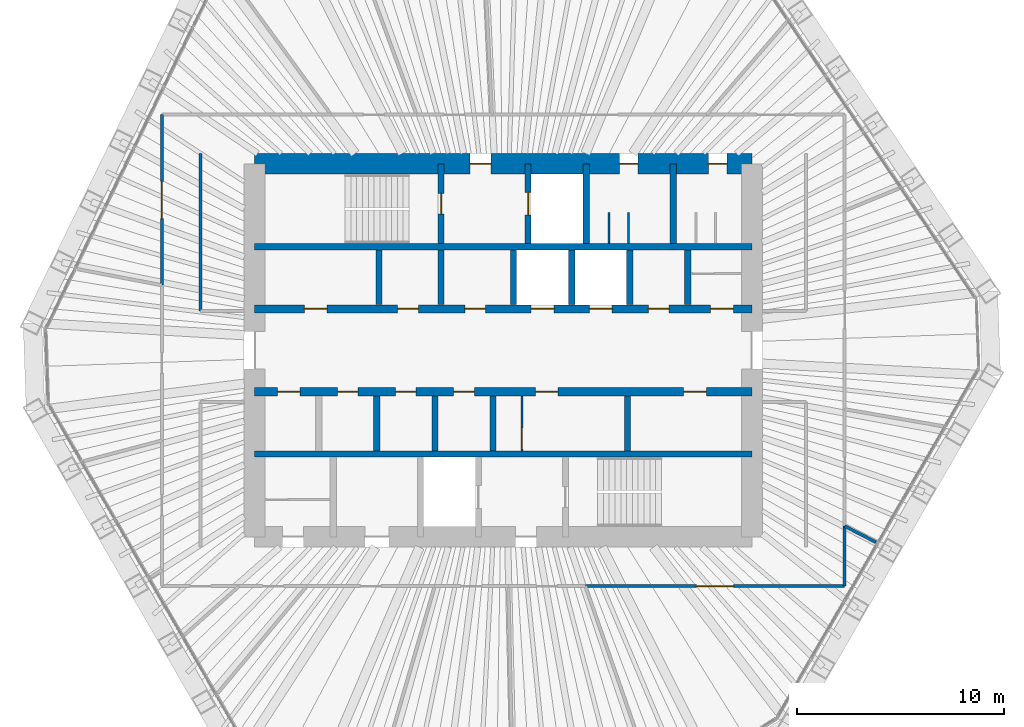
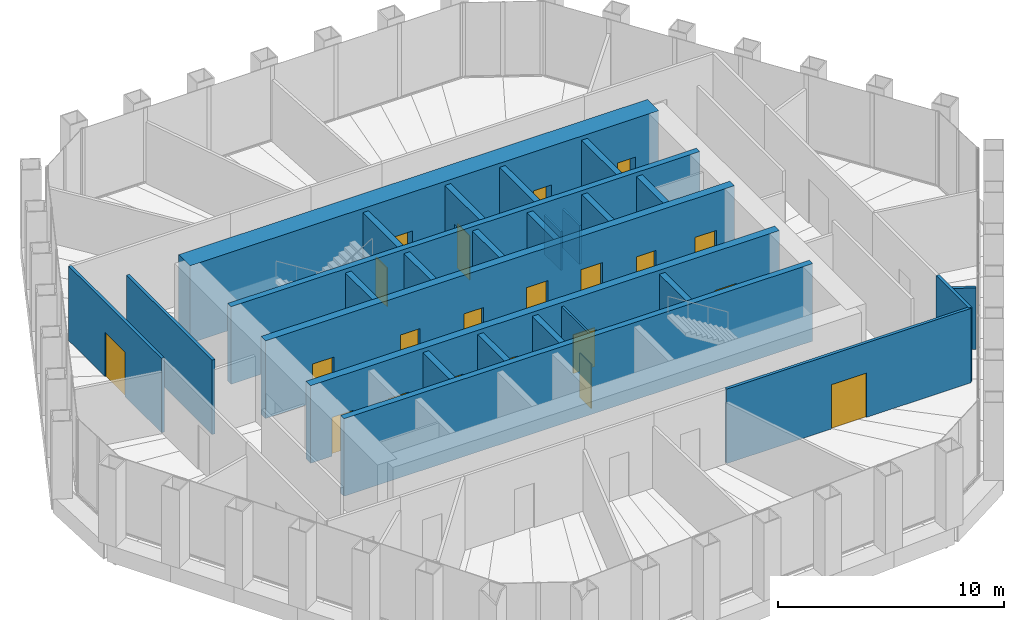
# One storey, part 12 of 14: 27 walls, 21 doors, 21 openings.
"""IFC4 building model written with IfcOpenShell, lengths in metres."""

from ifc_helpers import new_model, si_unit, direction, frame, frame_2d, origin, place, context, subcontext, project, spatial, rectangle, extrude, material, layer, layer_set, type_object, element, fill, save


model = new_model("IFC4")

# Units and contexts
model_context = context("Model", 3, precision=1e-05, world=origin(), true_north=direction((0.0, 1.0)))
body_context = subcontext(model_context, "Body", "Model", "MODEL_VIEW")
ifc_project = project(units=[si_unit("LENGTHUNIT", "METRE"), si_unit("AREAUNIT", "SQUARE_METRE"), si_unit("VOLUMEUNIT", "CUBIC_METRE"), si_unit("PLANEANGLEUNIT", "RADIAN"), si_unit("MASSUNIT", "GRAM", prefix="KILO")], contexts=[model_context])

# Site, building, storey
site_placement = place(None, origin())
site = spatial("IfcSite", under=ifc_project, at=site_placement, CompositionType="ELEMENT")
building_placement = place(site_placement, origin())
building = spatial("IfcBuilding", under=site, at=building_placement, Name="Qingtian Harvest Tower", CompositionType="ELEMENT")
storey_placement = place(building_placement, frame((0.0, 0.0, 274.60009765625)))
storey = spatial("IfcBuildingStorey", under=building, at=storey_placement, Name="L60", CompositionType="ELEMENT", Elevation=274.60009765625)

# Walls
ifc_material_1 = material(Name="Concrete fc' 70 MPa", Category="concrete")
ifc_layer_1 = layer(ifc_material_1, 0.300048828125)
ifc_layer_set_1 = layer_set([ifc_layer_1], Name="Core inner wall RC5 300")
wall_type_1 = type_object("IfcWallType", Name="Core inner wall RC5 300", PredefinedType="SHEAR", material=ifc_layer_set_1)
for number, where, z_axis, x_axis, name in (
    (1, (-12.0, 5.0, 0.0), (0.0, 0.0, 1.0), (1.0, 0.0, 0.0), "Core wall IN5 L60"),
    (2, (-12.0, -5.0, 0.0), (0.0, 0.0, 1.0), (1.0, 0.0, 0.0), "Core wall IS5 L60"),
):
    element("IfcWall", number, at=place(storey_placement, frame(where, z_axis=z_axis, x_axis=x_axis)), inside=storey, type_object=wall_type_1, Name=name, PredefinedType="SHEAR", context=body_context, shape_type="SweptSolid", body=[
        extrude(rectangle(XDim=24.0, YDim=0.300048828125, at=frame_2d((12.0, 0.0))), origin(), (0.0, 0.0, 1.0), 4.199951171875),
    ])

# Wall, openings, doors
ifc_material_2 = material(Name="Concrete fc' 70 MPa", Category="concrete")
ifc_layer_2 = layer(ifc_material_2, 0.39990234375)
ifc_layer_set_2 = layer_set([ifc_layer_2], Name="Core inner web RC6 400")
wall_type_2 = type_object("IfcWallType", Name="Core inner web RC6 400", PredefinedType="SHEAR", material=ifc_layer_set_2)
wall_1_placement = place(storey_placement, frame((-12.0, 2.0, 0.0), z_axis=(0.0, 0.0, 1.0), x_axis=(1.0, 0.0, 0.0)))
wall_1 = element("IfcWall", 3, at=wall_1_placement, inside=storey, type_object=wall_type_2, Name="Core wall IN2 L60", PredefinedType="SHEAR", context=body_context, shape_type="SweptSolid", body=[
    extrude(rectangle(XDim=24.0, YDim=0.39990234375, at=frame_2d((12.0, 0.0))), origin(), (0.0, 0.0, 1.0), 4.199951171875),
])
opening_1_placement = place(wall_1_placement, frame((2.39990234375, 0.0, 0.0)))
opening_1 = element("IfcOpeningElement", 4, at=opening_1_placement, cuts=wall_1, Name="Opening FD4", PredefinedType="OPENING", context=body_context, shape_type="SweptSolid", body=[
    extrude(rectangle(XDim=1.10009765625, YDim=2.10009765625, at=frame_2d((0.550048828125, 1.050048828125))), frame((0.0, 0.2099609375, 0.0), z_axis=(0.0, -1.0, 0.0), x_axis=(1.0, 0.0, 0.0)), (0.0, 0.0, 1.0), 0.419921875),
])
opening_2_placement = place(wall_1_placement, frame((22.0, 0.0, 0.0)))
opening_2 = element("IfcOpeningElement", 5, at=opening_2_placement, cuts=wall_1, Name="Opening FD4", PredefinedType="OPENING", context=body_context, shape_type="SweptSolid", body=[
    extrude(rectangle(XDim=1.10009765625, YDim=2.10009765625, at=frame_2d((0.550048828125, 1.050048828125))), frame((0.0, 0.2099609375, 0.0), z_axis=(0.0, -1.0, 0.0), x_axis=(1.0, 0.0, 0.0)), (0.0, 0.0, 1.0), 0.419921875),
])
opening_3_placement = place(wall_1_placement, frame((10.14990234375, 0.0, 0.0)))
opening_3 = element("IfcOpeningElement", 6, at=opening_3_placement, cuts=wall_1, Name="Opening FD1", PredefinedType="OPENING", context=body_context, shape_type="SweptSolid", body=[
    extrude(rectangle(XDim=1.0, YDim=2.10009765625, at=frame_2d((0.5, 1.050048828125))), frame((0.0, 0.2099609375, 0.0), z_axis=(0.0, -1.0, 0.0), x_axis=(1.0, 0.0, 0.0)), (0.0, 0.0, 1.0), 0.419921875),
])
opening_4_placement = place(wall_1_placement, frame((6.89990234375, 0.0, 0.0)))
opening_4 = element("IfcOpeningElement", 7, at=opening_4_placement, cuts=wall_1, Name="Opening FD1", PredefinedType="OPENING", context=body_context, shape_type="SweptSolid", body=[
    extrude(rectangle(XDim=1.0, YDim=2.10009765625, at=frame_2d((0.5, 1.050048828125))), frame((0.0, 0.2099609375, 0.0), z_axis=(0.0, -1.0, 0.0), x_axis=(1.0, 0.0, 0.0)), (0.0, 0.0, 1.0), 0.419921875),
])
opening_5_placement = place(wall_1_placement, frame((13.35009765625, 0.0, 0.0)))
opening_5 = element("IfcOpeningElement", 8, at=opening_5_placement, cuts=wall_1, Name="Opening LD1", PredefinedType="OPENING", context=body_context, shape_type="SweptSolid", body=[
    extrude(rectangle(XDim=1.10009765625, YDim=2.39990234375, at=frame_2d((0.550048828125, 1.199951171875))), frame((0.0, 0.2099609375, 0.0), z_axis=(0.0, -1.0, 0.0), x_axis=(1.0, 0.0, 0.0)), (0.0, 0.0, 1.0), 0.419921875),
])
opening_6_placement = place(wall_1_placement, frame((16.14990234375, 0.0, 0.0)))
opening_6 = element("IfcOpeningElement", 9, at=opening_6_placement, cuts=wall_1, Name="Opening LD1", PredefinedType="OPENING", context=body_context, shape_type="SweptSolid", body=[
    extrude(rectangle(XDim=1.10009765625, YDim=2.39990234375, at=frame_2d((0.550048828125, 1.199951171875))), frame((0.0, 0.2099609375, 0.0), z_axis=(0.0, -1.0, 0.0), x_axis=(1.0, 0.0, 0.0)), (0.0, 0.0, 1.0), 0.419921875),
])
opening_7_placement = place(wall_1_placement, frame((19.0, 0.0, 0.0)))
opening_7 = element("IfcOpeningElement", 10, at=opening_7_placement, cuts=wall_1, Name="Opening FD1", PredefinedType="OPENING", context=body_context, shape_type="SweptSolid", body=[
    extrude(rectangle(XDim=1.0, YDim=2.10009765625, at=frame_2d((0.5, 1.050048828125))), frame((0.0, 0.2099609375, 0.0), z_axis=(0.0, -1.0, 0.0), x_axis=(1.0, 0.0, 0.0)), (0.0, 0.0, 1.0), 0.419921875),
])
ifc_material_3 = material(Name="Steel-faced door leaf", Category="steel")
door_type_1 = type_object("IfcDoorType", Name="Fire door FD1 single 1 HR", OperationType="SINGLE_SWING_LEFT", PredefinedType="DOOR", material=ifc_material_3)
door_1_placement = place(opening_3_placement, origin())
door_1 = element("IfcDoor", 11, at=door_1_placement, inside=storey, type_object=door_type_1, Name="STA door L60", OperationType="SINGLE_SWING_RIGHT", OverallHeight=2.10009765625, OverallWidth=1.0, PredefinedType="DOOR", context=body_context, shape_type="SweptSolid", body=[
    extrude(rectangle(XDim=1.0, YDim=2.10009765625, at=frame_2d((0.5, 1.050048828125))), frame((0.0, 0.02490234375, 0.0), z_axis=(0.0, -1.0, 0.0), x_axis=(1.0, 0.0, 0.0)), (0.0, 0.0, 1.0), 0.050048828125),
])
fill(opening_3, door_1)
door_2_placement = place(opening_4_placement, origin())
door_2 = element("IfcDoor", 12, at=door_2_placement, inside=storey, type_object=door_type_1, Name="Linen store door L60", OperationType="SINGLE_SWING_RIGHT", OverallHeight=2.10009765625, OverallWidth=1.0, PredefinedType="DOOR", context=body_context, shape_type="SweptSolid", body=[
    extrude(rectangle(XDim=1.0, YDim=2.10009765625, at=frame_2d((0.5, 1.050048828125))), frame((0.0, 0.02490234375, 0.0), z_axis=(0.0, -1.0, 0.0), x_axis=(1.0, 0.0, 0.0)), (0.0, 0.0, 1.0), 0.050048828125),
])
fill(opening_4, door_2)
door_3_placement = place(opening_7_placement, origin())
door_3 = element("IfcDoor", 13, at=door_3_placement, inside=storey, type_object=door_type_1, Name="Tool store door L60", OperationType="SINGLE_SWING_RIGHT", OverallHeight=2.10009765625, OverallWidth=1.0, PredefinedType="DOOR", context=body_context, shape_type="SweptSolid", body=[
    extrude(rectangle(XDim=1.0, YDim=2.10009765625, at=frame_2d((0.5, 1.050048828125))), frame((0.0, 0.02490234375, 0.0), z_axis=(0.0, -1.0, 0.0), x_axis=(1.0, 0.0, 0.0)), (0.0, 0.0, 1.0), 0.050048828125),
])
fill(opening_7, door_3)
ifc_material_4 = material(Name="Steel-faced door leaf", Category="steel")
door_type_2 = type_object("IfcDoorType", Name="Fire door FD4 single 2 HR", OperationType="SINGLE_SWING_LEFT", PredefinedType="DOOR", material=ifc_material_4)
door_4_placement = place(opening_1_placement, origin())
door_4 = element("IfcDoor", 14, at=door_4_placement, inside=storey, type_object=door_type_2, Name="RA door L60", OperationType="SINGLE_SWING_LEFT", OverallHeight=2.10009765625, OverallWidth=1.10009765625, PredefinedType="DOOR", context=body_context, shape_type="SweptSolid", body=[
    extrude(rectangle(XDim=1.10009765625, YDim=2.10009765625, at=frame_2d((0.550048828125, 1.050048828125))), frame((0.0, 0.02490234375, 0.0), z_axis=(0.0, -1.0, 0.0), x_axis=(1.0, 0.0, 0.0)), (0.0, 0.0, 1.0), 0.050048828125),
])
fill(opening_1, door_4)
door_5_placement = place(opening_2_placement, origin())
door_5 = element("IfcDoor", 15, at=door_5_placement, inside=storey, type_object=door_type_2, Name="AHU door L60", OperationType="SINGLE_SWING_LEFT", OverallHeight=2.10009765625, OverallWidth=1.10009765625, PredefinedType="DOOR", context=body_context, shape_type="SweptSolid", body=[
    extrude(rectangle(XDim=1.10009765625, YDim=2.10009765625, at=frame_2d((0.550048828125, 1.050048828125))), frame((0.0, 0.02490234375, 0.0), z_axis=(0.0, -1.0, 0.0), x_axis=(1.0, 0.0, 0.0)), (0.0, 0.0, 1.0), 0.050048828125),
])
fill(opening_2, door_5)
ifc_material_5 = material(Name="Stainless steel lift landing door", Category="steel")
door_type_3 = type_object("IfcDoorType", Name="Lift landing door LD1 1 HR", OperationType="DOUBLE_DOOR_SLIDING", PredefinedType="DOOR", material=ifc_material_5)
door_6_placement = place(opening_5_placement, origin())
door_6 = element("IfcDoor", 16, at=door_6_placement, inside=storey, type_object=door_type_3, Name="PLD1 landing door L60", OperationType="DOUBLE_DOOR_SLIDING", OverallHeight=2.39990234375, OverallWidth=1.10009765625, PredefinedType="DOOR", context=body_context, shape_type="SweptSolid", body=[
    extrude(rectangle(XDim=1.10009765625, YDim=2.39990234375, at=frame_2d((0.550048828125, 1.199951171875))), frame((0.0, 0.02490234375, 0.0), z_axis=(0.0, -1.0, 0.0), x_axis=(1.0, 0.0, 0.0)), (0.0, 0.0, 1.0), 0.050048828125),
])
fill(opening_5, door_6)
door_7_placement = place(opening_6_placement, origin())
door_7 = element("IfcDoor", 17, at=door_7_placement, inside=storey, type_object=door_type_3, Name="PLD2 landing door L60", OperationType="DOUBLE_DOOR_SLIDING", OverallHeight=2.39990234375, OverallWidth=1.10009765625, PredefinedType="DOOR", context=body_context, shape_type="SweptSolid", body=[
    extrude(rectangle(XDim=1.10009765625, YDim=2.39990234375, at=frame_2d((0.550048828125, 1.199951171875))), frame((0.0, 0.02490234375, 0.0), z_axis=(0.0, -1.0, 0.0), x_axis=(1.0, 0.0, 0.0)), (0.0, 0.0, 1.0), 0.050048828125),
])
fill(opening_6, door_7)

wall_2_placement = place(storey_placement, frame((-12.0, -2.0, 0.0), z_axis=(0.0, 0.0, 1.0), x_axis=(1.0, 0.0, 0.0)))
wall_2 = element("IfcWall", 18, at=wall_2_placement, inside=storey, type_object=wall_type_2, Name="Core wall IS2 L60", PredefinedType="SHEAR", context=body_context, shape_type="SweptSolid", body=[
    extrude(rectangle(XDim=24.0, YDim=0.39990234375, at=frame_2d((12.0, 0.0))), origin(), (0.0, 0.0, 1.0), 4.199951171875),
])
opening_8_placement = place(wall_2_placement, frame((1.10009765625, 0.0, 0.0)))
opening_8 = element("IfcOpeningElement", 19, at=opening_8_placement, cuts=wall_2, Name="Opening FD4", PredefinedType="OPENING", context=body_context, shape_type="SweptSolid", body=[
    extrude(rectangle(XDim=1.10009765625, YDim=2.10009765625, at=frame_2d((0.550048828125, 1.050048828125))), frame((0.0, 0.2099609375, 0.0), z_axis=(0.0, -1.0, 0.0), x_axis=(1.0, 0.0, 0.0)), (0.0, 0.0, 1.0), 0.419921875),
])
opening_9_placement = place(wall_2_placement, frame((13.550048828125, 0.0, 0.0)))
opening_9 = element("IfcOpeningElement", 20, at=opening_9_placement, cuts=wall_2, Name="Opening FD4", PredefinedType="OPENING", context=body_context, shape_type="SweptSolid", body=[
    extrude(rectangle(XDim=1.10009765625, YDim=2.10009765625, at=frame_2d((0.550048828125, 1.050048828125))), frame((0.0, 0.2099609375, 0.0), z_axis=(0.0, -1.0, 0.0), x_axis=(1.0, 0.0, 0.0)), (0.0, 0.0, 1.0), 0.419921875),
])
opening_10_placement = place(wall_2_placement, frame((20.699951171875, 0.0, 0.0)))
opening_10 = element("IfcOpeningElement", 21, at=opening_10_placement, cuts=wall_2, Name="Opening FD4", PredefinedType="OPENING", context=body_context, shape_type="SweptSolid", body=[
    extrude(rectangle(XDim=1.10009765625, YDim=2.10009765625, at=frame_2d((0.550048828125, 1.050048828125))), frame((0.0, 0.2099609375, 0.0), z_axis=(0.0, -1.0, 0.0), x_axis=(1.0, 0.0, 0.0)), (0.0, 0.0, 1.0), 0.419921875),
])
opening_11_placement = place(wall_2_placement, frame((4.0, 0.0, 0.0)))
opening_11 = element("IfcOpeningElement", 22, at=opening_11_placement, cuts=wall_2, Name="Opening FD1", PredefinedType="OPENING", context=body_context, shape_type="SweptSolid", body=[
    extrude(rectangle(XDim=1.0, YDim=2.10009765625, at=frame_2d((0.5, 1.050048828125))), frame((0.0, 0.2099609375, 0.0), z_axis=(0.0, -1.0, 0.0), x_axis=(1.0, 0.0, 0.0)), (0.0, 0.0, 1.0), 0.419921875),
])
opening_12_placement = place(wall_2_placement, frame((6.800048828125, 0.0, 0.0)))
opening_12 = element("IfcOpeningElement", 23, at=opening_12_placement, cuts=wall_2, Name="Opening FD1", PredefinedType="OPENING", context=body_context, shape_type="SweptSolid", body=[
    extrude(rectangle(XDim=1.0, YDim=2.10009765625, at=frame_2d((0.5, 1.050048828125))), frame((0.0, 0.2099609375, 0.0), z_axis=(0.0, -1.0, 0.0), x_axis=(1.0, 0.0, 0.0)), (0.0, 0.0, 1.0), 0.419921875),
])
opening_13_placement = place(wall_2_placement, frame((9.60009765625, 0.0, 0.0)))
opening_13 = element("IfcOpeningElement", 24, at=opening_13_placement, cuts=wall_2, Name="Opening FD1", PredefinedType="OPENING", context=body_context, shape_type="SweptSolid", body=[
    extrude(rectangle(XDim=1.0, YDim=2.10009765625, at=frame_2d((0.5, 1.050048828125))), frame((0.0, 0.2099609375, 0.0), z_axis=(0.0, -1.0, 0.0), x_axis=(1.0, 0.0, 0.0)), (0.0, 0.0, 1.0), 0.419921875),
])
door_8_placement = place(opening_11_placement, origin())
door_8 = element("IfcDoor", 25, at=door_8_placement, inside=storey, type_object=door_type_1, Name="Staff WC door L60", OperationType="SINGLE_SWING_RIGHT", OverallHeight=2.10009765625, OverallWidth=1.0, PredefinedType="DOOR", context=body_context, shape_type="SweptSolid", body=[
    extrude(rectangle(XDim=1.0, YDim=2.10009765625, at=frame_2d((0.5, 1.050048828125))), frame((0.0, 0.02490234375, 0.0), z_axis=(0.0, -1.0, 0.0), x_axis=(1.0, 0.0, 0.0)), (0.0, 0.0, 1.0), 0.050048828125),
])
fill(opening_11, door_8)
door_9_placement = place(opening_12_placement, origin())
door_9 = element("IfcDoor", 26, at=door_9_placement, inside=storey, type_object=door_type_1, Name="Tea point door L60", OperationType="SINGLE_SWING_RIGHT", OverallHeight=2.10009765625, OverallWidth=1.0, PredefinedType="DOOR", context=body_context, shape_type="SweptSolid", body=[
    extrude(rectangle(XDim=1.0, YDim=2.10009765625, at=frame_2d((0.5, 1.050048828125))), frame((0.0, 0.02490234375, 0.0), z_axis=(0.0, -1.0, 0.0), x_axis=(1.0, 0.0, 0.0)), (0.0, 0.0, 1.0), 0.050048828125),
])
fill(opening_12, door_9)
door_10_placement = place(opening_13_placement, origin())
door_10 = element("IfcDoor", 27, at=door_10_placement, inside=storey, type_object=door_type_1, Name="IT room door L60", OperationType="SINGLE_SWING_RIGHT", OverallHeight=2.10009765625, OverallWidth=1.0, PredefinedType="DOOR", context=body_context, shape_type="SweptSolid", body=[
    extrude(rectangle(XDim=1.0, YDim=2.10009765625, at=frame_2d((0.5, 1.050048828125))), frame((0.0, 0.02490234375, 0.0), z_axis=(0.0, -1.0, 0.0), x_axis=(1.0, 0.0, 0.0)), (0.0, 0.0, 1.0), 0.050048828125),
])
fill(opening_13, door_10)
door_11_placement = place(opening_8_placement, origin())
door_11 = element("IfcDoor", 28, at=door_11_placement, inside=storey, type_object=door_type_2, Name="RB door L60", OperationType="SINGLE_SWING_LEFT", OverallHeight=2.10009765625, OverallWidth=1.10009765625, PredefinedType="DOOR", context=body_context, shape_type="SweptSolid", body=[
    extrude(rectangle(XDim=1.10009765625, YDim=2.10009765625, at=frame_2d((0.550048828125, 1.050048828125))), frame((0.0, 0.02490234375, 0.0), z_axis=(0.0, -1.0, 0.0), x_axis=(1.0, 0.0, 0.0)), (0.0, 0.0, 1.0), 0.050048828125),
])
fill(opening_8, door_11)
door_12_placement = place(opening_9_placement, origin())
door_12 = element("IfcDoor", 29, at=door_12_placement, inside=storey, type_object=door_type_2, Name="ELEC door L60", OperationType="SINGLE_SWING_RIGHT", OverallHeight=2.10009765625, OverallWidth=1.10009765625, PredefinedType="DOOR", context=body_context, shape_type="SweptSolid", body=[
    extrude(rectangle(XDim=1.10009765625, YDim=2.10009765625, at=frame_2d((0.550048828125, 1.050048828125))), frame((0.0, 0.02490234375, 0.0), z_axis=(0.0, -1.0, 0.0), x_axis=(1.0, 0.0, 0.0)), (0.0, 0.0, 1.0), 0.050048828125),
])
fill(opening_9, door_12)
door_13_placement = place(opening_10_placement, origin())
door_13 = element("IfcDoor", 30, at=door_13_placement, inside=storey, type_object=door_type_2, Name="DUCT door L60", OperationType="SINGLE_SWING_LEFT", OverallHeight=2.10009765625, OverallWidth=1.10009765625, PredefinedType="DOOR", context=body_context, shape_type="SweptSolid", body=[
    extrude(rectangle(XDim=1.10009765625, YDim=2.10009765625, at=frame_2d((0.550048828125, 1.050048828125))), frame((0.0, 0.02490234375, 0.0), z_axis=(0.0, -1.0, 0.0), x_axis=(1.0, 0.0, 0.0)), (0.0, 0.0, 1.0), 0.050048828125),
])
fill(opening_10, door_13)

# Wall, opening, door
ifc_material_6 = material(Name="Precast concrete shaft panel", Category="concrete")
ifc_layer_3 = layer(ifc_material_6, 0.300048828125)
ifc_layer_set_3 = layer_set([ifc_layer_3], Name="Core shaft partition SW1 300")
wall_type_3 = type_object("IfcWallType", Name="Core shaft partition SW1 300", PredefinedType="PARTITIONING", material=ifc_layer_set_3)
wall_3_placement = place(storey_placement, frame((-3.0, 5.14990234375, 0.0), z_axis=(0.0, 0.0, 1.0), x_axis=(0.0, 1.0, 0.0)))
wall_3 = element("IfcWall", 31, at=wall_3_placement, inside=storey, type_object=wall_type_3, Name="Core shaft partition XN1 L60", PredefinedType="PARTITIONING", context=body_context, shape_type="SweptSolid", body=[
    extrude(rectangle(XDim=3.85009765625, YDim=0.300048828125, at=frame_2d((1.925048828125, 0.0))), origin(), (0.0, 0.0, 1.0), 3.97998046875),
])
opening_14_placement = place(wall_3_placement, frame((1.425048828125, 0.0, 0.0)))
opening_14 = element("IfcOpeningElement", 32, at=opening_14_placement, cuts=wall_3, Name="Opening FD1", PredefinedType="OPENING", context=body_context, shape_type="SweptSolid", body=[
    extrude(rectangle(XDim=1.0, YDim=2.10009765625, at=frame_2d((0.5, 1.050048828125))), frame((0.0, 0.159912109375, 0.0), z_axis=(0.0, -1.0, 0.0), x_axis=(1.0, 0.0, 0.0)), (0.0, 0.0, 1.0), 0.320068359375),
])
door_14_placement = place(opening_14_placement, origin())
door_14 = element("IfcDoor", 33, at=door_14_placement, inside=storey, type_object=door_type_1, Name="S1 door L60", OperationType="SINGLE_SWING_LEFT", OverallHeight=2.10009765625, OverallWidth=1.0, PredefinedType="DOOR", context=body_context, shape_type="SweptSolid", body=[
    extrude(rectangle(XDim=1.0, YDim=2.10009765625, at=frame_2d((0.5, 1.050048828125))), frame((0.0, 0.02490234375, 0.0), z_axis=(0.0, -1.0, 0.0), x_axis=(1.0, 0.0, 0.0)), (0.0, 0.0, 1.0), 0.050048828125),
])
fill(opening_14, door_14)

wall_4_placement = place(storey_placement, frame((1.199951171875, 5.14990234375, 0.0), z_axis=(0.0, 0.0, 1.0), x_axis=(0.0, 1.0, 0.0)))
wall_4 = element("IfcWall", 34, at=wall_4_placement, inside=storey, type_object=wall_type_3, Name="Core shaft partition XN2 L60", PredefinedType="PARTITIONING", context=body_context, shape_type="SweptSolid", body=[
    extrude(rectangle(XDim=3.85009765625, YDim=0.300048828125, at=frame_2d((1.925048828125, 0.0))), origin(), (0.0, 0.0, 1.0), 3.97998046875),
])
opening_15_placement = place(wall_4_placement, frame((1.375, 0.0, 0.0)))
opening_15 = element("IfcOpeningElement", 35, at=opening_15_placement, cuts=wall_4, Name="Opening LD1", PredefinedType="OPENING", context=body_context, shape_type="SweptSolid", body=[
    extrude(rectangle(XDim=1.10009765625, YDim=2.39990234375, at=frame_2d((0.550048828125, 1.199951171875))), frame((0.0, 0.159912109375, 0.0), z_axis=(0.0, -1.0, 0.0), x_axis=(1.0, 0.0, 0.0)), (0.0, 0.0, 1.0), 0.320068359375),
])
door_15_placement = place(opening_15_placement, origin())
door_15 = element("IfcDoor", 36, at=door_15_placement, inside=storey, type_object=door_type_3, Name="FL1 landing door L60", OperationType="DOUBLE_DOOR_SLIDING", OverallHeight=2.39990234375, OverallWidth=1.10009765625, PredefinedType="DOOR", context=body_context, shape_type="SweptSolid", body=[
    extrude(rectangle(XDim=1.10009765625, YDim=2.39990234375, at=frame_2d((0.550048828125, 1.199951171875))), frame((0.0, 0.02490234375, 0.0), z_axis=(0.0, -1.0, 0.0), x_axis=(1.0, 0.0, 0.0)), (0.0, 0.0, 1.0), 0.050048828125),
])
fill(opening_15, door_15)

# Walls
for number, where, z_axis, x_axis, name in (
    (37, (4.0, 5.14990234375, 0.0), (0.0, 0.0, 1.0), (0.0, 1.0, 0.0), "Core shaft partition XN3 L60"),
    (38, (8.199951171875, 5.14990234375, 0.0), (0.0, 0.0, 1.0), (0.0, 1.0, 0.0), "Core shaft partition XN4 L60"),
):
    element("IfcWall", number, at=place(storey_placement, frame(where, z_axis=z_axis, x_axis=x_axis)), inside=storey, type_object=wall_type_3, Name=name, PredefinedType="PARTITIONING", context=body_context, shape_type="SweptSolid", body=[
        extrude(rectangle(XDim=3.85009765625, YDim=0.300048828125, at=frame_2d((1.925048828125, 0.0))), origin(), (0.0, 0.0, 1.0), 3.97998046875),
    ])
for number, where, z_axis, x_axis, name in (
    (39, (-6.0, 2.199951171875, 0.0), (0.0, 0.0, 1.0), (0.0, 1.0, 0.0), "Core shaft partition XA1 L60"),
    (40, (-3.0, 2.199951171875, 0.0), (0.0, 0.0, 1.0), (0.0, 1.0, 0.0), "Core shaft partition XA2 L60"),
    (41, (0.5, 2.199951171875, 0.0), (0.0, 0.0, 1.0), (0.0, 1.0, 0.0), "Core shaft partition XA3 L60"),
    (42, (3.300048828125, 2.199951171875, 0.0), (0.0, 0.0, 1.0), (0.0, 1.0, 0.0), "Core shaft partition XA4 L60"),
    (43, (6.10009765625, 2.199951171875, 0.0), (0.0, 0.0, 1.0), (0.0, 1.0, 0.0), "Core shaft partition XA5 L60"),
    (44, (8.89990234375, 2.199951171875, 0.0), (0.0, 0.0, 1.0), (0.0, 1.0, 0.0), "Core shaft partition XA6 L60"),
    (45, (-6.10009765625, -4.85009765625, 0.0), (0.0, 0.0, 1.0), (0.0, 1.0, 0.0), "Core shaft partition XB2 L60"),
    (46, (-3.300048828125, -4.85009765625, 0.0), (0.0, 0.0, 1.0), (0.0, 1.0, 0.0), "Core shaft partition XB3 L60"),
    (47, (-0.5, -4.85009765625, 0.0), (0.0, 0.0, 1.0), (0.0, 1.0, 0.0), "Core shaft partition XB4 L60"),
    (48, (6.0, -4.85009765625, 0.0), (0.0, 0.0, 1.0), (0.0, 1.0, 0.0), "Core shaft partition XB5 L60"),
):
    element("IfcWall", number, at=place(storey_placement, frame(where, z_axis=z_axis, x_axis=x_axis)), inside=storey, type_object=wall_type_3, Name=name, PredefinedType="PARTITIONING", context=body_context, shape_type="SweptSolid", body=[
        extrude(rectangle(XDim=2.650146484375, YDim=0.300048828125, at=frame_2d((1.3251953125, 0.0))), origin(), (0.0, 0.0, 1.0), 3.97998046875),
    ])

# Wall, openings, doors
ifc_material_7 = material(Name="Concrete fc' 70 MPa", Category="concrete")
ifc_layer_4 = layer(ifc_material_7, 1.0)
ifc_layer_set_4 = layer_set([ifc_layer_4], Name="Core wall RC3 1000")
wall_type_4 = type_object("IfcWallType", Name="Core wall RC3 1000", PredefinedType="SHEAR", material=ifc_layer_set_4)
wall_5_placement = place(storey_placement, frame((-12.0, 9.0, 0.0), z_axis=(0.0, 0.0, 1.0), x_axis=(1.0, 0.0, 0.0)))
wall_5 = element("IfcWall", 49, at=wall_5_placement, inside=storey, type_object=wall_type_4, Name="Core wall CN L60", PredefinedType="SHEAR", context=body_context, shape_type="SweptSolid", body=[
    extrude(rectangle(XDim=24.0, YDim=1.0, at=frame_2d((12.0, 0.0))), origin(), (0.0, 0.0, 1.0), 4.199951171875),
])
opening_16_placement = place(wall_5_placement, frame((10.39990234375, 0.0, 0.0)))
opening_16 = element("IfcOpeningElement", 50, at=opening_16_placement, cuts=wall_5, Name="Opening FD1", PredefinedType="OPENING", context=body_context, shape_type="SweptSolid", body=[
    extrude(rectangle(XDim=1.0, YDim=2.10009765625, at=frame_2d((0.5, 1.050048828125))), frame((0.0, 0.510009765625, 0.0), z_axis=(0.0, -1.0, 0.0), x_axis=(1.0, 0.0, 0.0)), (0.0, 0.0, 1.0), 1.02001953125),
])
opening_17_placement = place(wall_5_placement, frame((17.60009765625, 0.0, 0.0)))
opening_17 = element("IfcOpeningElement", 51, at=opening_17_placement, cuts=wall_5, Name="Opening D1", PredefinedType="OPENING", context=body_context, shape_type="SweptSolid", body=[
    extrude(rectangle(XDim=0.89990234375, YDim=2.10009765625, at=frame_2d((0.449951171875, 1.050048828125))), frame((0.0, 0.510009765625, 0.0), z_axis=(0.0, -1.0, 0.0), x_axis=(1.0, 0.0, 0.0)), (0.0, 0.0, 1.0), 1.02001953125),
])
opening_18_placement = place(wall_5_placement, frame((21.89990234375, 0.0, 0.0)))
opening_18 = element("IfcOpeningElement", 52, at=opening_18_placement, cuts=wall_5, Name="Opening D1", PredefinedType="OPENING", context=body_context, shape_type="SweptSolid", body=[
    extrude(rectangle(XDim=0.89990234375, YDim=2.10009765625, at=frame_2d((0.449951171875, 1.050048828125))), frame((0.0, 0.510009765625, 0.0), z_axis=(0.0, -1.0, 0.0), x_axis=(1.0, 0.0, 0.0)), (0.0, 0.0, 1.0), 1.02001953125),
])
door_16_placement = place(opening_16_placement, origin())
door_16 = element("IfcDoor", 53, at=door_16_placement, inside=storey, type_object=door_type_1, Name="V1 door L60", OperationType="SINGLE_SWING_LEFT", OverallHeight=2.10009765625, OverallWidth=1.0, PredefinedType="DOOR", context=body_context, shape_type="SweptSolid", body=[
    extrude(rectangle(XDim=1.0, YDim=2.10009765625, at=frame_2d((0.5, 1.050048828125))), frame((0.0, 0.02490234375, 0.0), z_axis=(0.0, -1.0, 0.0), x_axis=(1.0, 0.0, 0.0)), (0.0, 0.0, 1.0), 0.050048828125),
])
fill(opening_16, door_16)
ifc_material_8 = material(Name="Laminated timber door leaf", Category="wood")
door_type_4 = type_object("IfcDoorType", Name="Toilet door D1 single", OperationType="SINGLE_SWING_LEFT", PredefinedType="DOOR", material=ifc_material_8)
door_17_placement = place(opening_17_placement, origin())
door_17 = element("IfcDoor", 54, at=door_17_placement, inside=storey, type_object=door_type_4, Name="WCM door L60", OperationType="SINGLE_SWING_RIGHT", OverallHeight=2.10009765625, OverallWidth=0.89990234375, PredefinedType="DOOR", context=body_context, shape_type="SweptSolid", body=[
    extrude(rectangle(XDim=0.89990234375, YDim=2.10009765625, at=frame_2d((0.449951171875, 1.050048828125))), frame((0.0, 0.02490234375, 0.0), z_axis=(0.0, -1.0, 0.0), x_axis=(1.0, 0.0, 0.0)), (0.0, 0.0, 1.0), 0.050048828125),
])
fill(opening_17, door_17)
door_18_placement = place(opening_18_placement, origin())
door_18 = element("IfcDoor", 55, at=door_18_placement, inside=storey, type_object=door_type_4, Name="WCF door L60", OperationType="SINGLE_SWING_RIGHT", OverallHeight=2.10009765625, OverallWidth=0.89990234375, PredefinedType="DOOR", context=body_context, shape_type="SweptSolid", body=[
    extrude(rectangle(XDim=0.89990234375, YDim=2.10009765625, at=frame_2d((0.449951171875, 1.050048828125))), frame((0.0, 0.02490234375, 0.0), z_axis=(0.0, -1.0, 0.0), x_axis=(1.0, 0.0, 0.0)), (0.0, 0.0, 1.0), 0.050048828125),
])
fill(opening_18, door_18)

# Wall, opening, door
ifc_material_9 = material(Name="Gypsum board on steel studs", Category="steel")
ifc_layer_5 = layer(ifc_material_9, 0.14990234375)
ifc_layer_set_5 = layer_set([ifc_layer_5], Name="Partition PT1 150")
wall_type_5 = type_object("IfcWallType", Name="Partition PT1 150", PredefinedType="PARTITIONING", material=ifc_layer_set_5)
wall_6_placement = place(storey_placement, frame((-16.47509765625, 3.140869140625, 0.0), z_axis=(0.0, 0.0, 1.0), x_axis=(0.0, 1.0, 0.0)))
wall_6 = element("IfcWall", 56, at=wall_6_placement, inside=storey, type_object=wall_type_5, Name="Workplace zone wall L60", PredefinedType="PARTITIONING", context=body_context, shape_type="SweptSolid", body=[
    extrude(rectangle(XDim=8.234130859375, YDim=0.14990234375, at=frame_2d((4.1171875, 0.0))), origin(), (0.0, 0.0, 1.0), 4.02978515625),
])
opening_19_placement = place(wall_6_placement, frame((3.217041015625, 0.0, 0.0)))
opening_19 = element("IfcOpeningElement", 57, at=opening_19_placement, cuts=wall_6, Name="Opening D3", PredefinedType="OPENING", context=body_context, shape_type="SweptSolid", body=[
    extrude(rectangle(XDim=1.800048828125, YDim=2.39990234375, at=frame_2d((0.89990234375, 1.199951171875))), frame((0.0, 0.0849609375, 0.0), z_axis=(0.0, -1.0, 0.0), x_axis=(1.0, 0.0, 0.0)), (0.0, 0.0, 1.0), 0.169921875),
])
ifc_material_10 = material(Name="Laminated timber door leaf", Category="wood")
door_type_5 = type_object("IfcDoorType", Name="Room door D3 double", OperationType="DOUBLE_DOOR_DOUBLE_SWING", PredefinedType="DOOR", material=ifc_material_10)
door_19_placement = place(opening_19_placement, origin())
door_19 = element("IfcDoor", 58, at=door_19_placement, inside=storey, type_object=door_type_5, Name="Workplace zone door L60", OperationType="DOUBLE_DOOR_DOUBLE_SWING", OverallHeight=2.39990234375, OverallWidth=1.800048828125, PredefinedType="DOOR", context=body_context, shape_type="SweptSolid", body=[
    extrude(rectangle(XDim=1.800048828125, YDim=2.39990234375, at=frame_2d((0.89990234375, 1.199951171875))), frame((0.0, 0.02490234375, 0.0), z_axis=(0.0, -1.0, 0.0), x_axis=(1.0, 0.0, 0.0)), (0.0, 0.0, 1.0), 0.050048828125),
])
fill(opening_19, door_19)

# Walls
wall_7_placement = place(storey_placement, frame((17.98046875, -9.257080078125, 0.0), z_axis=(0.0, 0.0, 1.0), x_axis=(-0.889058145064, 0.457794292991, 0.0)))
element("IfcWall", 59, at=wall_7_placement, inside=storey, type_object=wall_type_5, Name="Workplace zone wall L60", PredefinedType="PARTITIONING", context=body_context, shape_type="SweptSolid", body=[
    extrude(rectangle(XDim=1.693115234375, YDim=0.14990234375, at=frame_2d((0.8466796875, 0.0))), origin(), (0.0, 0.0, 1.0), 3.329833984375),
])
wall_8_placement = place(storey_placement, frame((16.47509765625, -8.48193359375, 0.0), z_axis=(0.0, 0.0, 1.0), x_axis=(0.0, -1.0, 0.0)))
element("IfcWall", 60, at=wall_8_placement, inside=storey, type_object=wall_type_5, Name="Workplace zone wall L60", PredefinedType="PARTITIONING", context=body_context, shape_type="SweptSolid", body=[
    extrude(rectangle(XDim=2.89306640625, YDim=0.14990234375, at=frame_2d((1.446533203125, 0.0))), origin(), (0.0, 0.0, 1.0), 4.02978515625),
])

# Wall, opening, door
wall_9_placement = place(storey_placement, frame((16.47509765625, -11.375, 0.0), z_axis=(0.0, 0.0, 1.0), x_axis=(-1.0, 0.0, 0.0)))
wall_9 = element("IfcWall", 61, at=wall_9_placement, inside=storey, type_object=wall_type_5, Name="Workplace zone wall L60", PredefinedType="PARTITIONING", context=body_context, shape_type="SweptSolid", body=[
    extrude(rectangle(XDim=12.512451171875, YDim=0.14990234375, at=frame_2d((6.25634765625, 0.0))), origin(), (0.0, 0.0, 1.0), 4.02978515625),
])
opening_20_placement = place(wall_9_placement, frame((5.356201171875, 0.0, 0.0)))
opening_20 = element("IfcOpeningElement", 62, at=opening_20_placement, cuts=wall_9, Name="Opening D3", PredefinedType="OPENING", context=body_context, shape_type="SweptSolid", body=[
    extrude(rectangle(XDim=1.800048828125, YDim=2.39990234375, at=frame_2d((0.89990234375, 1.199951171875))), frame((0.0, 0.0849609375, 0.0), z_axis=(0.0, -1.0, 0.0), x_axis=(1.0, 0.0, 0.0)), (0.0, 0.0, 1.0), 0.169921875),
])
door_20_placement = place(opening_20_placement, origin())
door_20 = element("IfcDoor", 63, at=door_20_placement, inside=storey, type_object=door_type_5, Name="Workplace zone door L60", OperationType="DOUBLE_DOOR_DOUBLE_SWING", OverallHeight=2.39990234375, OverallWidth=1.800048828125, PredefinedType="DOOR", context=body_context, shape_type="SweptSolid", body=[
    extrude(rectangle(XDim=1.800048828125, YDim=2.39990234375, at=frame_2d((0.89990234375, 1.199951171875))), frame((0.0, 0.02490234375, 0.0), z_axis=(0.0, -1.0, 0.0), x_axis=(1.0, 0.0, 0.0)), (0.0, 0.0, 1.0), 0.050048828125),
])
fill(opening_20, door_20)

# Wall
wall_10_placement = place(storey_placement, frame((-14.60009765625, 1.89990234375, 0.0), z_axis=(0.0, 0.0, 1.0), x_axis=(0.0, 1.0, 0.0)))
element("IfcWall", 64, at=wall_10_placement, inside=storey, type_object=wall_type_5, Name="Breakout space wall L60", PredefinedType="PARTITIONING", context=body_context, shape_type="SweptSolid", body=[
    extrude(rectangle(XDim=7.60009765625, YDim=0.14990234375, at=frame_2d((3.800048828125, 0.0))), origin(), (0.0, 0.0, 1.0), 4.02978515625),
])

# Wall, opening, door
ifc_material_11 = material(Name="Concrete block partition", Category="concrete")
ifc_layer_6 = layer(ifc_material_11, 0.10009765625)
ifc_layer_set_6 = layer_set([ifc_layer_6], Name="Store partition PT3 100")
wall_type_6 = type_object("IfcWallType", Name="Store partition PT3 100", PredefinedType="PARTITIONING", material=ifc_layer_set_6)
wall_11_placement = place(storey_placement, frame((0.89990234375, -4.85009765625, 0.0), z_axis=(0.0, 0.0, 1.0), x_axis=(0.0, 1.0, 0.0)))
wall_11 = element("IfcWall", 65, at=wall_11_placement, inside=storey, type_object=wall_type_6, Name="Comms room wall L60", PredefinedType="PARTITIONING", context=body_context, shape_type="SweptSolid", body=[
    extrude(rectangle(XDim=2.650146484375, YDim=0.10009765625, at=frame_2d((1.3251953125, 0.0))), origin(), (0.0, 0.0, 1.0), 3.97998046875),
])
opening_21_placement = place(wall_11_placement, frame((0.10009765625, 0.0, 0.0)))
opening_21 = element("IfcOpeningElement", 66, at=opening_21_placement, cuts=wall_11, Name="Opening D2", PredefinedType="OPENING", context=body_context, shape_type="SweptSolid", body=[
    extrude(rectangle(XDim=1.0, YDim=2.39990234375, at=frame_2d((0.5, 1.199951171875))), frame((0.0, 0.06005859375, 0.0), z_axis=(0.0, -1.0, 0.0), x_axis=(1.0, 0.0, 0.0)), (0.0, 0.0, 1.0), 0.1201171875),
])
ifc_material_12 = material(Name="Laminated timber door leaf", Category="wood")
door_type_6 = type_object("IfcDoorType", Name="Room door D2 single", OperationType="SINGLE_SWING_LEFT", PredefinedType="DOOR", material=ifc_material_12)
door_21_placement = place(opening_21_placement, origin())
door_21 = element("IfcDoor", 67, at=door_21_placement, inside=storey, type_object=door_type_6, Name="Comms room door L60", OperationType="SINGLE_SWING_RIGHT", OverallHeight=2.39990234375, OverallWidth=1.0, PredefinedType="DOOR", context=body_context, shape_type="SweptSolid", body=[
    extrude(rectangle(XDim=1.0, YDim=2.39990234375, at=frame_2d((0.5, 1.199951171875))), frame((0.0, 0.02490234375, 0.0), z_axis=(0.0, -1.0, 0.0), x_axis=(1.0, 0.0, 0.0)), (0.0, 0.0, 1.0), 0.050048828125),
])
fill(opening_21, door_21)

# Walls
ifc_material_13 = material(Name="Compact laminate cubicle partition", Category="plastic")
ifc_layer_7 = layer(ifc_material_13, 0.10009765625)
ifc_layer_set_7 = layer_set([ifc_layer_7], Name="WC cubicle partition WP1 100")
wall_type_7 = type_object("IfcWallType", Name="WC cubicle partition WP1 100", PredefinedType="PARTITIONING", material=ifc_layer_set_7)
for number, where, z_axis, x_axis, name in (
    (68, (5.10009765625, 5.14990234375, 0.0), (0.0, 0.0, 1.0), (0.0, 1.0, 0.0), "WC cubicle partition WCM L60"),
    (69, (6.050048828125, 5.14990234375, 0.0), (0.0, 0.0, 1.0), (0.0, 1.0, 0.0), "WC cubicle partition WCM L60"),
):
    element("IfcWall", number, at=place(storey_placement, frame(where, z_axis=z_axis, x_axis=x_axis)), inside=storey, type_object=wall_type_7, Name=name, PredefinedType="PARTITIONING", context=body_context, shape_type="SweptSolid", body=[
        extrude(rectangle(XDim=1.5, YDim=0.10009765625, at=frame_2d((0.75, 0.0))), origin(), (0.0, 0.0, 1.0), 2.099853515625),
    ])

save(model, "model.ifc")
